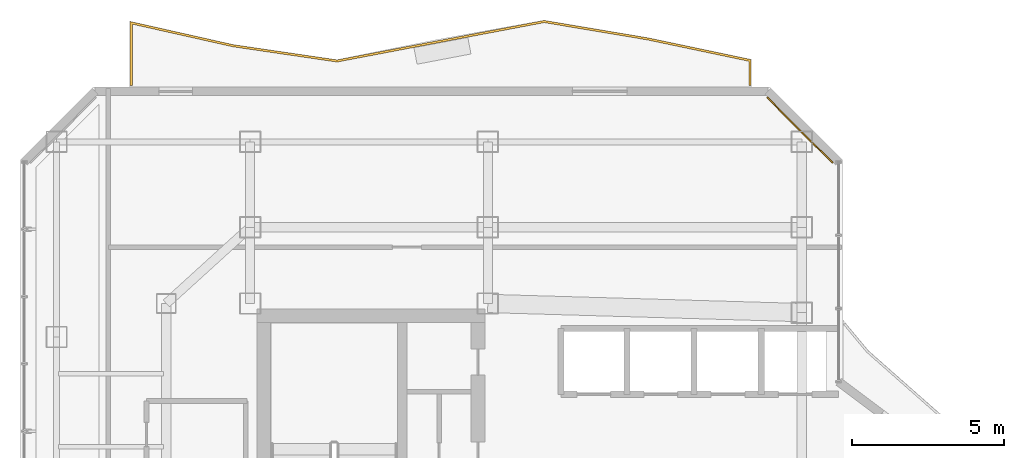
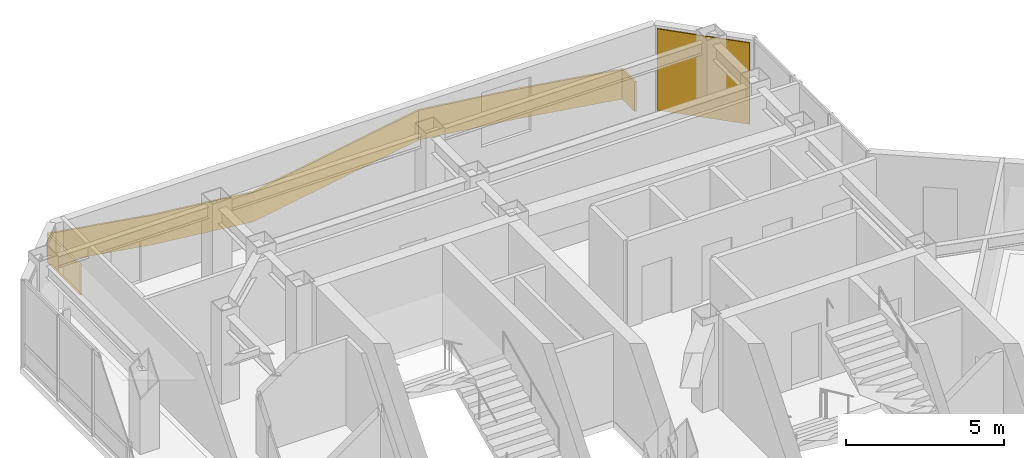
# One storey, part 25 of 25: 1 covering, 1 railing.
"""IFC4 building model written with IfcOpenShell, lengths in metres."""

from ifc_helpers import new_model, si_unit, direction, frame, origin, origin_2d, place, context, subcontext, project, spatial, polyline, rectangle, outline, extrude, material, layer, layer_set, type_object, element, save


model = new_model("IFC4")

# Units and contexts
model_context = context("Model", 3, precision=1e-05, world=origin(), true_north=direction((0.0, 1.0)))
body_context = subcontext(model_context, "Body", "Model", "MODEL_VIEW")
ifc_project = project(units=[si_unit("LENGTHUNIT", "METRE"), si_unit("AREAUNIT", "SQUARE_METRE"), si_unit("VOLUMEUNIT", "CUBIC_METRE"), si_unit("PLANEANGLEUNIT", "RADIAN"), si_unit("MASSUNIT", "GRAM", prefix="KILO")], contexts=[model_context])

# Site, building, storey
site_placement = place(None, origin())
site = spatial("IfcSite", under=ifc_project, at=site_placement, CompositionType="ELEMENT")
building_placement = place(site_placement, origin())
building = spatial("IfcBuilding", under=site, at=building_placement, Name="Hatsunagi Terrace Concourse", CompositionType="ELEMENT")
storey_placement = place(building_placement, frame((0.0, 0.0, 220.35009765625)))
storey = spatial("IfcBuildingStorey", under=building, at=storey_placement, Name="L58", CompositionType="ELEMENT", Elevation=220.35009765625)

# Railing
ifc_material_1 = material(Name="Laminated Glass and Stainless Steel Guard", Category="steel")
ifc_layer_1 = layer(ifc_material_1, 0.070068359375)
ifc_layer_set_1 = layer_set([ifc_layer_1], Name="BalconyGlassGuardRail_1150")
railing_type = type_object("IfcRailingType", Name="BalconyGlassGuardRail_1150", PredefinedType="BALUSTRADE", material=ifc_layer_set_1)
railing_placement = place(storey_placement, origin())
element("IfcRailing", 1, at=railing_placement, inside=storey, type_object=railing_type, Name="Engawa Balcony Guard GRD-01 L58-BN-1", PredefinedType="BALUSTRADE", context=body_context, shape_type="SweptSolid", body=[
    extrude(outline(polyline([(21.614990234375, 50.449951171875), (21.68505859375, 50.449951171875), (21.68505859375, 52.46240234375), (24.984619140625, 51.720703125), (28.40185546875, 51.219482421875), (35.200439453125, 52.513427734375), (38.58447265625, 51.945556640625), (41.9150390625, 51.24462890625), (41.9150390625, 50.449951171875), (41.985107421875, 50.449951171875), (41.985107421875, 51.301513671875), (38.597412109375, 52.014404296875), (35.19970703125, 52.584716796875), (28.400146484375, 51.29052734375), (24.997314453125, 51.789306640625), (21.614990234375, 52.5498046875), (21.614990234375, 50.449951171875)])), origin(), (0.0, 0.0, 1.0), 1.14990234375),
])

# Covering
ifc_material_2 = material(Name="Unglazed Warm Terracotta Rainscreen Tile", Category="masonry")
ifc_layer_2 = layer(ifc_material_2, 0.044921875)
ifc_layer_set_2 = layer_set([ifc_layer_2], Name="TerracottaRainscreenCladding_45")
covering_type = type_object("IfcCoveringType", Name="TerracottaRainscreenCladding_45", PredefinedType="CLADDING", material=ifc_layer_set_2)
covering_placement = place(storey_placement, frame((43.5859375, 48.986083984375, 0.099853515625), z_axis=(0.0, 0.0, 1.0), x_axis=(0.707106781187, -0.707106781187, 0.0)))
element("IfcCovering", 2, at=covering_placement, inside=storey, type_object=covering_type, Name="Terracotta Rainscreen Cladding L58-11", PredefinedType="CLADDING", context=body_context, shape_type="SweptSolid", body=[
    extrude(rectangle(XDim=3.0380859375, YDim=0.044921875, at=origin_2d()), origin(), (0.0, 0.0, 1.0), 3.14990234375),
])

save(model, "model.ifc")
